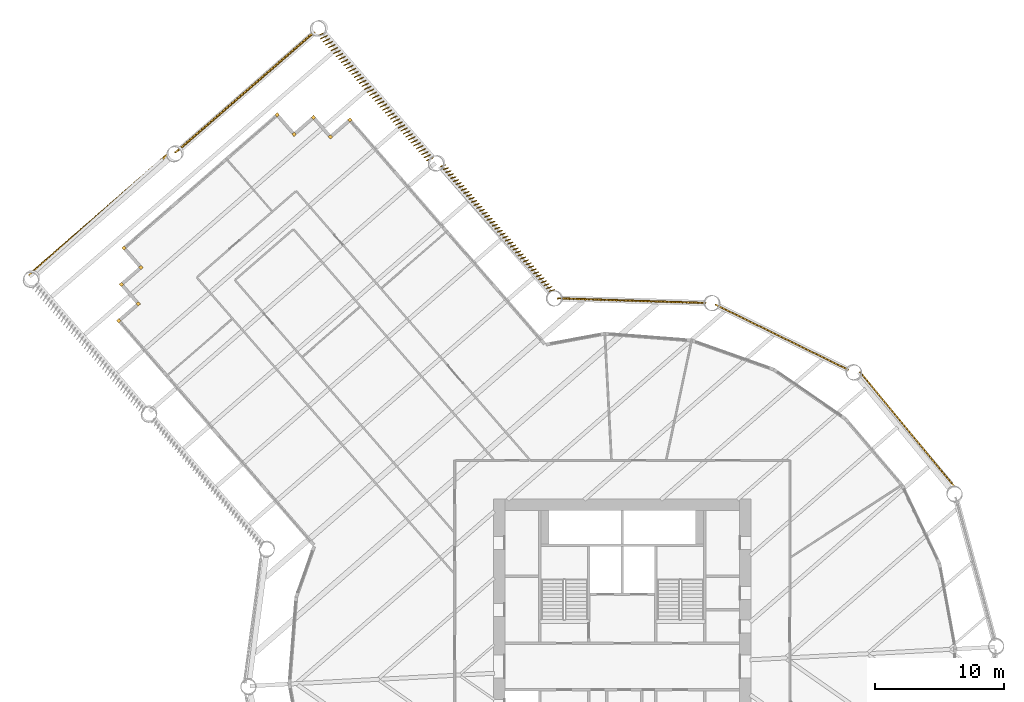
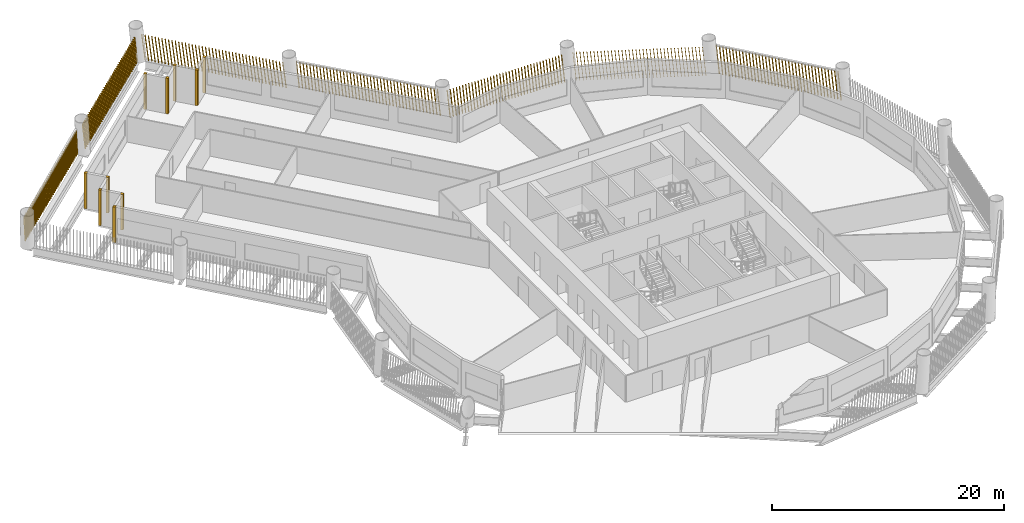
# One storey, part 14 of 15: 17 shading devices.
"""IFC4 building model written with IfcOpenShell, lengths in metres."""

from ifc_helpers import new_model, si_unit, direction, frame, frame_2d, origin, origin_2d, place, context, subcontext, project, spatial, rectangle, composite_profile, extrude, material, type_object, element, save


model = new_model("IFC4")

# Units and contexts
model_context = context("Model", 3, precision=1e-05, world=origin(), true_north=direction((0.0, 1.0)))
body_context = subcontext(model_context, "Body", "Model", "MODEL_VIEW")
ifc_project = project(units=[si_unit("LENGTHUNIT", "METRE"), si_unit("AREAUNIT", "SQUARE_METRE"), si_unit("VOLUMEUNIT", "CUBIC_METRE"), si_unit("PLANEANGLEUNIT", "RADIAN"), si_unit("MASSUNIT", "GRAM", prefix="KILO")], contexts=[model_context])

# Site, building, storey
site_placement = place(None, origin())
site = spatial("IfcSite", under=ifc_project, at=site_placement, CompositionType="ELEMENT")
building_placement = place(site_placement, origin())
building = spatial("IfcBuilding", under=site, at=building_placement, Name="Tarsis Ring Headquarters", CompositionType="ELEMENT")
storey_placement = place(building_placement, frame((0.0, 0.0, 51.699951171875)))
storey = spatial("IfcBuildingStorey", under=building, at=storey_placement, Name="L10", CompositionType="ELEMENT", Elevation=51.699951171875)

# Shading devices
ifc_material = material(Name="Terracotta baguette", Category="masonry")
shading_device_type_1 = type_object("IfcShadingDeviceType", Name="Terracotta baguette screen", PredefinedType="USERDEFINED", material=ifc_material)
shading_device_1_placement = place(storey_placement, frame((25.7744140625, 13.966552734375, 0.0), z_axis=(0.0, 0.0, 1.0), x_axis=(-0.63626695605, 0.771481280521, 0.0)))
element("IfcShadingDevice", 1, at=shading_device_1_placement, inside=storey, type_object=shading_device_type_1, Name="Baguette screen L10-12", ObjectType="Terracotta baguette screen", PredefinedType="USERDEFINED", context=body_context, shape_type="SweptSolid", body=[
    extrude(composite_profile([rectangle(XDim=0.06005859375, YDim=0.1201171875, at=frame_2d((0.030029296875, 0.0))), rectangle(XDim=0.06005859375, YDim=0.1201171875, at=frame_2d((0.33251953125, 0.0))), rectangle(XDim=0.06005859375, YDim=0.1201171875, at=frame_2d((0.634765625, 0.0))), rectangle(XDim=0.06005859375, YDim=0.1201171875, at=frame_2d((0.937255859375, 0.0))), rectangle(XDim=0.06005859375, YDim=0.1201171875, at=frame_2d((1.239501953125, 0.0))), rectangle(XDim=0.06005859375, YDim=0.1201171875, at=frame_2d((1.5419921875, 0.0))), rectangle(XDim=0.06005859375, YDim=0.1201171875, at=frame_2d((1.844482421875, 0.0))), rectangle(XDim=0.06005859375, YDim=0.1201171875, at=frame_2d((2.146728515625, 0.0))), rectangle(XDim=0.06005859375, YDim=0.1201171875, at=frame_2d((2.44921875, 0.0))), rectangle(XDim=0.06005859375, YDim=0.1201171875, at=frame_2d((2.751708984375, 0.0))), rectangle(XDim=0.06005859375, YDim=0.1201171875, at=frame_2d((3.053955078125, 0.0))), rectangle(XDim=0.06005859375, YDim=0.1201171875, at=frame_2d((3.3564453125, 0.0))), rectangle(XDim=0.06005859375, YDim=0.1201171875, at=frame_2d((3.65869140625, 0.0))), rectangle(XDim=0.06005859375, YDim=0.1201171875, at=frame_2d((3.961181640625, 0.0))), rectangle(XDim=0.06005859375, YDim=0.1201171875, at=frame_2d((4.263671875, 0.0))), rectangle(XDim=0.06005859375, YDim=0.1201171875, at=frame_2d((4.56591796875, 0.0))), rectangle(XDim=0.06005859375, YDim=0.1201171875, at=frame_2d((4.868408203125, 0.0))), rectangle(XDim=0.06005859375, YDim=0.1201171875, at=frame_2d((5.1708984375, 0.0))), rectangle(XDim=0.06005859375, YDim=0.1201171875, at=frame_2d((5.47314453125, 0.0))), rectangle(XDim=0.06005859375, YDim=0.1201171875, at=frame_2d((5.775634765625, 0.0))), rectangle(XDim=0.06005859375, YDim=0.1201171875, at=frame_2d((6.077880859375, 0.0))), rectangle(XDim=0.06005859375, YDim=0.1201171875, at=frame_2d((6.38037109375, 0.0))), rectangle(XDim=0.06005859375, YDim=0.1201171875, at=frame_2d((6.682861328125, 0.0))), rectangle(XDim=0.06005859375, YDim=0.1201171875, at=frame_2d((6.985107421875, 0.0))), rectangle(XDim=0.06005859375, YDim=0.1201171875, at=frame_2d((7.28759765625, 0.0))), rectangle(XDim=0.06005859375, YDim=0.1201171875, at=frame_2d((7.590087890625, 0.0))), rectangle(XDim=0.06005859375, YDim=0.1201171875, at=frame_2d((7.892333984375, 0.0))), rectangle(XDim=0.06005859375, YDim=0.1201171875, at=frame_2d((8.19482421875, 0.0))), rectangle(XDim=0.06005859375, YDim=0.1201171875, at=frame_2d((8.4970703125, 0.0))), rectangle(XDim=0.06005859375, YDim=0.1201171875, at=frame_2d((8.799560546875, 0.0))), rectangle(XDim=0.06005859375, YDim=0.1201171875, at=frame_2d((9.10205078125, 0.0))), rectangle(XDim=0.06005859375, YDim=0.1201171875, at=frame_2d((9.404296875, 0.0))), rectangle(XDim=0.06005859375, YDim=0.1201171875, at=frame_2d((9.706787109375, 0.0))), rectangle(XDim=0.06005859375, YDim=0.1201171875, at=frame_2d((10.00927734375, 0.0))), rectangle(XDim=0.06005859375, YDim=0.1201171875, at=frame_2d((10.3115234375, 0.0))), rectangle(XDim=0.06005859375, YDim=0.1201171875, at=frame_2d((10.614013671875, 0.0))), rectangle(XDim=0.06005859375, YDim=0.1201171875, at=frame_2d((10.916259765625, 0.0))), rectangle(XDim=0.06005859375, YDim=0.1201171875, at=frame_2d((11.21875, 0.0)))]), origin(), (0.101511033073, 0.000532017042, 0.994834271184), 2.968017578125),
])
shading_device_2_placement = place(storey_placement, frame((17.560791015625, 23.01220703125, 0.0), z_axis=(0.0, 0.0, 1.0), x_axis=(-0.897688551275, 0.440629408573, 0.0)))
element("IfcShadingDevice", 2, at=shading_device_2_placement, inside=storey, type_object=shading_device_type_1, Name="Baguette screen L10-13", ObjectType="Terracotta baguette screen", PredefinedType="USERDEFINED", context=body_context, shape_type="SweptSolid", body=[
    extrude(composite_profile([rectangle(XDim=0.06005859375, YDim=0.1201171875, at=frame_2d((0.030029296875, 0.0))), rectangle(XDim=0.06005859375, YDim=0.1201171875, at=frame_2d((0.33251953125, 0.0))), rectangle(XDim=0.06005859375, YDim=0.1201171875, at=frame_2d((0.634765625, 0.0))), rectangle(XDim=0.06005859375, YDim=0.1201171875, at=frame_2d((0.937255859375, 0.0))), rectangle(XDim=0.06005859375, YDim=0.1201171875, at=frame_2d((1.239501953125, 0.0))), rectangle(XDim=0.06005859375, YDim=0.1201171875, at=frame_2d((1.5419921875, 0.0))), rectangle(XDim=0.06005859375, YDim=0.1201171875, at=frame_2d((1.844482421875, 0.0))), rectangle(XDim=0.06005859375, YDim=0.1201171875, at=frame_2d((2.146728515625, 0.0))), rectangle(XDim=0.06005859375, YDim=0.1201171875, at=frame_2d((2.44921875, 0.0))), rectangle(XDim=0.06005859375, YDim=0.1201171875, at=frame_2d((2.751708984375, 0.0))), rectangle(XDim=0.06005859375, YDim=0.1201171875, at=frame_2d((3.053955078125, 0.0))), rectangle(XDim=0.06005859375, YDim=0.1201171875, at=frame_2d((3.3564453125, 0.0))), rectangle(XDim=0.06005859375, YDim=0.1201171875, at=frame_2d((3.65869140625, 0.0))), rectangle(XDim=0.06005859375, YDim=0.1201171875, at=frame_2d((3.961181640625, 0.0))), rectangle(XDim=0.06005859375, YDim=0.1201171875, at=frame_2d((4.263671875, 0.0))), rectangle(XDim=0.06005859375, YDim=0.1201171875, at=frame_2d((4.56591796875, 0.0))), rectangle(XDim=0.06005859375, YDim=0.1201171875, at=frame_2d((4.868408203125, 0.0))), rectangle(XDim=0.06005859375, YDim=0.1201171875, at=frame_2d((5.1708984375, 0.0))), rectangle(XDim=0.06005859375, YDim=0.1201171875, at=frame_2d((5.47314453125, 0.0))), rectangle(XDim=0.06005859375, YDim=0.1201171875, at=frame_2d((5.775634765625, 0.0))), rectangle(XDim=0.06005859375, YDim=0.1201171875, at=frame_2d((6.077880859375, 0.0))), rectangle(XDim=0.06005859375, YDim=0.1201171875, at=frame_2d((6.38037109375, 0.0))), rectangle(XDim=0.06005859375, YDim=0.1201171875, at=frame_2d((6.682861328125, 0.0))), rectangle(XDim=0.06005859375, YDim=0.1201171875, at=frame_2d((6.985107421875, 0.0))), rectangle(XDim=0.06005859375, YDim=0.1201171875, at=frame_2d((7.28759765625, 0.0))), rectangle(XDim=0.06005859375, YDim=0.1201171875, at=frame_2d((7.590087890625, 0.0))), rectangle(XDim=0.06005859375, YDim=0.1201171875, at=frame_2d((7.892333984375, 0.0))), rectangle(XDim=0.06005859375, YDim=0.1201171875, at=frame_2d((8.19482421875, 0.0))), rectangle(XDim=0.06005859375, YDim=0.1201171875, at=frame_2d((8.4970703125, 0.0))), rectangle(XDim=0.06005859375, YDim=0.1201171875, at=frame_2d((8.799560546875, 0.0))), rectangle(XDim=0.06005859375, YDim=0.1201171875, at=frame_2d((9.10205078125, 0.0))), rectangle(XDim=0.06005859375, YDim=0.1201171875, at=frame_2d((9.404296875, 0.0))), rectangle(XDim=0.06005859375, YDim=0.1201171875, at=frame_2d((9.706787109375, 0.0))), rectangle(XDim=0.06005859375, YDim=0.1201171875, at=frame_2d((10.00927734375, 0.0))), rectangle(XDim=0.06005859375, YDim=0.1201171875, at=frame_2d((10.3115234375, 0.0))), rectangle(XDim=0.06005859375, YDim=0.1201171875, at=frame_2d((10.614013671875, 0.0))), rectangle(XDim=0.06005859375, YDim=0.1201171875, at=frame_2d((10.916259765625, 0.0))), rectangle(XDim=0.06005859375, YDim=0.1201171875, at=frame_2d((11.21875, 0.0)))]), origin(), (0.10020027107, 0.000525141998, 0.994967150163), 2.967529296875),
])
shading_device_3_placement = place(storey_placement, frame((6.51416015625, 28.204833984375, 0.0), z_axis=(0.0, 0.0, 1.0), x_axis=(-0.99950081389, 0.031427021161, 0.0)))
element("IfcShadingDevice", 3, at=shading_device_3_placement, inside=storey, type_object=shading_device_type_1, Name="Baguette screen L10-14", ObjectType="Terracotta baguette screen", PredefinedType="USERDEFINED", context=body_context, shape_type="SweptSolid", body=[
    extrude(composite_profile([rectangle(XDim=0.06005859375, YDim=0.1201171875, at=frame_2d((0.030029296875, 0.0))), rectangle(XDim=0.06005859375, YDim=0.1201171875, at=frame_2d((0.33251953125, 0.0))), rectangle(XDim=0.06005859375, YDim=0.1201171875, at=frame_2d((0.634765625, 0.0))), rectangle(XDim=0.06005859375, YDim=0.1201171875, at=frame_2d((0.937255859375, 0.0))), rectangle(XDim=0.06005859375, YDim=0.1201171875, at=frame_2d((1.239501953125, 0.0))), rectangle(XDim=0.06005859375, YDim=0.1201171875, at=frame_2d((1.5419921875, 0.0))), rectangle(XDim=0.06005859375, YDim=0.1201171875, at=frame_2d((1.844482421875, 0.0))), rectangle(XDim=0.06005859375, YDim=0.1201171875, at=frame_2d((2.146728515625, 0.0))), rectangle(XDim=0.06005859375, YDim=0.1201171875, at=frame_2d((2.44921875, 0.0))), rectangle(XDim=0.06005859375, YDim=0.1201171875, at=frame_2d((2.751708984375, 0.0))), rectangle(XDim=0.06005859375, YDim=0.1201171875, at=frame_2d((3.053955078125, 0.0))), rectangle(XDim=0.06005859375, YDim=0.1201171875, at=frame_2d((3.3564453125, 0.0))), rectangle(XDim=0.06005859375, YDim=0.1201171875, at=frame_2d((3.65869140625, 0.0))), rectangle(XDim=0.06005859375, YDim=0.1201171875, at=frame_2d((3.961181640625, 0.0))), rectangle(XDim=0.06005859375, YDim=0.1201171875, at=frame_2d((4.263671875, 0.0))), rectangle(XDim=0.06005859375, YDim=0.1201171875, at=frame_2d((4.56591796875, 0.0))), rectangle(XDim=0.06005859375, YDim=0.1201171875, at=frame_2d((4.868408203125, 0.0))), rectangle(XDim=0.06005859375, YDim=0.1201171875, at=frame_2d((5.1708984375, 0.0))), rectangle(XDim=0.06005859375, YDim=0.1201171875, at=frame_2d((5.47314453125, 0.0))), rectangle(XDim=0.06005859375, YDim=0.1201171875, at=frame_2d((5.775634765625, 0.0))), rectangle(XDim=0.06005859375, YDim=0.1201171875, at=frame_2d((6.077880859375, 0.0))), rectangle(XDim=0.06005859375, YDim=0.1201171875, at=frame_2d((6.38037109375, 0.0))), rectangle(XDim=0.06005859375, YDim=0.1201171875, at=frame_2d((6.682861328125, 0.0))), rectangle(XDim=0.06005859375, YDim=0.1201171875, at=frame_2d((6.985107421875, 0.0))), rectangle(XDim=0.06005859375, YDim=0.1201171875, at=frame_2d((7.28759765625, 0.0))), rectangle(XDim=0.06005859375, YDim=0.1201171875, at=frame_2d((7.590087890625, 0.0))), rectangle(XDim=0.06005859375, YDim=0.1201171875, at=frame_2d((7.892333984375, 0.0))), rectangle(XDim=0.06005859375, YDim=0.1201171875, at=frame_2d((8.19482421875, 0.0))), rectangle(XDim=0.06005859375, YDim=0.1201171875, at=frame_2d((8.4970703125, 0.0))), rectangle(XDim=0.06005859375, YDim=0.1201171875, at=frame_2d((8.799560546875, 0.0))), rectangle(XDim=0.06005859375, YDim=0.1201171875, at=frame_2d((9.10205078125, 0.0))), rectangle(XDim=0.06005859375, YDim=0.1201171875, at=frame_2d((9.404296875, 0.0))), rectangle(XDim=0.06005859375, YDim=0.1201171875, at=frame_2d((9.706787109375, 0.0))), rectangle(XDim=0.06005859375, YDim=0.1201171875, at=frame_2d((10.00927734375, 0.0))), rectangle(XDim=0.06005859375, YDim=0.1201171875, at=frame_2d((10.3115234375, 0.0))), rectangle(XDim=0.06005859375, YDim=0.1201171875, at=frame_2d((10.614013671875, 0.0))), rectangle(XDim=0.06005859375, YDim=0.1201171875, at=frame_2d((10.916259765625, 0.0))), rectangle(XDim=0.06005859375, YDim=0.1201171875, at=frame_2d((11.21875, 0.0)))]), origin(), (0.100200250182, 0.000523905841, 0.994967152918), 2.967529296875),
])
shading_device_4_placement = place(storey_placement, frame((-5.27392578125, 29.197509765625, 0.0), z_axis=(0.0, 0.0, 1.0), x_axis=(-0.656063731148, 0.754706984313, 0.0)))
element("IfcShadingDevice", 4, at=shading_device_4_placement, inside=storey, type_object=shading_device_type_1, Name="Baguette screen L10-15", ObjectType="Terracotta baguette screen", PredefinedType="USERDEFINED", context=body_context, shape_type="SweptSolid", body=[
    extrude(composite_profile([rectangle(XDim=0.06005859375, YDim=0.1201171875, at=frame_2d((0.030029296875, 0.0))), rectangle(XDim=0.06005859375, YDim=0.1201171875, at=frame_2d((0.335693359375, 0.0))), rectangle(XDim=0.06005859375, YDim=0.1201171875, at=frame_2d((0.6416015625, 0.0))), rectangle(XDim=0.06005859375, YDim=0.1201171875, at=frame_2d((0.947265625, 0.0))), rectangle(XDim=0.06005859375, YDim=0.1201171875, at=frame_2d((1.253173828125, 0.0))), rectangle(XDim=0.06005859375, YDim=0.1201171875, at=frame_2d((1.558837890625, 0.0))), rectangle(XDim=0.06005859375, YDim=0.1201171875, at=frame_2d((1.864501953125, 0.0))), rectangle(XDim=0.06005859375, YDim=0.1201171875, at=frame_2d((2.17041015625, 0.0))), rectangle(XDim=0.06005859375, YDim=0.1201171875, at=frame_2d((2.47607421875, 0.0))), rectangle(XDim=0.06005859375, YDim=0.1201171875, at=frame_2d((2.781982421875, 0.0))), rectangle(XDim=0.06005859375, YDim=0.1201171875, at=frame_2d((3.087646484375, 0.0))), rectangle(XDim=0.06005859375, YDim=0.1201171875, at=frame_2d((3.393310546875, 0.0))), rectangle(XDim=0.06005859375, YDim=0.1201171875, at=frame_2d((3.69921875, 0.0))), rectangle(XDim=0.06005859375, YDim=0.1201171875, at=frame_2d((4.0048828125, 0.0))), rectangle(XDim=0.06005859375, YDim=0.1201171875, at=frame_2d((4.310791015625, 0.0))), rectangle(XDim=0.06005859375, YDim=0.1201171875, at=frame_2d((4.616455078125, 0.0))), rectangle(XDim=0.06005859375, YDim=0.1201171875, at=frame_2d((4.922119140625, 0.0))), rectangle(XDim=0.06005859375, YDim=0.1201171875, at=frame_2d((5.22802734375, 0.0))), rectangle(XDim=0.06005859375, YDim=0.1201171875, at=frame_2d((5.53369140625, 0.0))), rectangle(XDim=0.06005859375, YDim=0.1201171875, at=frame_2d((5.839599609375, 0.0))), rectangle(XDim=0.06005859375, YDim=0.1201171875, at=frame_2d((6.145263671875, 0.0))), rectangle(XDim=0.06005859375, YDim=0.1201171875, at=frame_2d((6.451171875, 0.0))), rectangle(XDim=0.06005859375, YDim=0.1201171875, at=frame_2d((6.7568359375, 0.0))), rectangle(XDim=0.06005859375, YDim=0.1201171875, at=frame_2d((7.0625, 0.0))), rectangle(XDim=0.06005859375, YDim=0.1201171875, at=frame_2d((7.368408203125, 0.0))), rectangle(XDim=0.06005859375, YDim=0.1201171875, at=frame_2d((7.674072265625, 0.0))), rectangle(XDim=0.06005859375, YDim=0.1201171875, at=frame_2d((7.97998046875, 0.0))), rectangle(XDim=0.06005859375, YDim=0.1201171875, at=frame_2d((8.28564453125, 0.0))), rectangle(XDim=0.06005859375, YDim=0.1201171875, at=frame_2d((8.59130859375, 0.0))), rectangle(XDim=0.06005859375, YDim=0.1201171875, at=frame_2d((8.897216796875, 0.0))), rectangle(XDim=0.06005859375, YDim=0.1201171875, at=frame_2d((9.202880859375, 0.0))), rectangle(XDim=0.06005859375, YDim=0.1201171875, at=frame_2d((9.5087890625, 0.0))), rectangle(XDim=0.06005859375, YDim=0.1201171875, at=frame_2d((9.814453125, 0.0))), rectangle(XDim=0.06005859375, YDim=0.1201171875, at=frame_2d((10.1201171875, 0.0))), rectangle(XDim=0.06005859375, YDim=0.1201171875, at=frame_2d((10.426025390625, 0.0))), rectangle(XDim=0.06005859375, YDim=0.1201171875, at=frame_2d((10.731689453125, 0.0))), rectangle(XDim=0.06005859375, YDim=0.1201171875, at=frame_2d((11.03759765625, 0.0))), rectangle(XDim=0.06005859375, YDim=0.1201171875, at=frame_2d((11.34326171875, 0.0))), rectangle(XDim=0.06005859375, YDim=0.1201171875, at=frame_2d((11.64892578125, 0.0))), rectangle(XDim=0.06005859375, YDim=0.1201171875, at=frame_2d((11.954833984375, 0.0))), rectangle(XDim=0.06005859375, YDim=0.1201171875, at=frame_2d((12.260498046875, 0.0))), rectangle(XDim=0.06005859375, YDim=0.1201171875, at=frame_2d((12.56640625, 0.0))), rectangle(XDim=0.06005859375, YDim=0.1201171875, at=frame_2d((12.8720703125, 0.0)))]), origin(), (0.052813109187, 0.112699970093, 0.992224517052), 2.975830078125),
])
shading_device_5_placement = place(storey_placement, frame((-14.677490234375, 39.443603515625, 0.0), z_axis=(0.0, 0.0, 1.0), x_axis=(-0.656063731148, 0.754706984313, 0.0)))
element("IfcShadingDevice", 5, at=shading_device_5_placement, inside=storey, type_object=shading_device_type_1, Name="Baguette screen L10-16", ObjectType="Terracotta baguette screen", PredefinedType="USERDEFINED", context=body_context, shape_type="SweptSolid", body=[
    extrude(composite_profile([rectangle(XDim=0.06005859375, YDim=0.1201171875, at=frame_2d((0.030029296875, 0.0))), rectangle(XDim=0.06005859375, YDim=0.1201171875, at=frame_2d((0.335693359375, 0.0))), rectangle(XDim=0.06005859375, YDim=0.1201171875, at=frame_2d((0.6416015625, 0.0))), rectangle(XDim=0.06005859375, YDim=0.1201171875, at=frame_2d((0.947265625, 0.0))), rectangle(XDim=0.06005859375, YDim=0.1201171875, at=frame_2d((1.253173828125, 0.0))), rectangle(XDim=0.06005859375, YDim=0.1201171875, at=frame_2d((1.558837890625, 0.0))), rectangle(XDim=0.06005859375, YDim=0.1201171875, at=frame_2d((1.864501953125, 0.0))), rectangle(XDim=0.06005859375, YDim=0.1201171875, at=frame_2d((2.17041015625, 0.0))), rectangle(XDim=0.06005859375, YDim=0.1201171875, at=frame_2d((2.47607421875, 0.0))), rectangle(XDim=0.06005859375, YDim=0.1201171875, at=frame_2d((2.781982421875, 0.0))), rectangle(XDim=0.06005859375, YDim=0.1201171875, at=frame_2d((3.087646484375, 0.0))), rectangle(XDim=0.06005859375, YDim=0.1201171875, at=frame_2d((3.393310546875, 0.0))), rectangle(XDim=0.06005859375, YDim=0.1201171875, at=frame_2d((3.69921875, 0.0))), rectangle(XDim=0.06005859375, YDim=0.1201171875, at=frame_2d((4.0048828125, 0.0))), rectangle(XDim=0.06005859375, YDim=0.1201171875, at=frame_2d((4.310791015625, 0.0))), rectangle(XDim=0.06005859375, YDim=0.1201171875, at=frame_2d((4.616455078125, 0.0))), rectangle(XDim=0.06005859375, YDim=0.1201171875, at=frame_2d((4.922119140625, 0.0))), rectangle(XDim=0.06005859375, YDim=0.1201171875, at=frame_2d((5.22802734375, 0.0))), rectangle(XDim=0.06005859375, YDim=0.1201171875, at=frame_2d((5.53369140625, 0.0))), rectangle(XDim=0.06005859375, YDim=0.1201171875, at=frame_2d((5.839599609375, 0.0))), rectangle(XDim=0.06005859375, YDim=0.1201171875, at=frame_2d((6.145263671875, 0.0))), rectangle(XDim=0.06005859375, YDim=0.1201171875, at=frame_2d((6.451171875, 0.0))), rectangle(XDim=0.06005859375, YDim=0.1201171875, at=frame_2d((6.7568359375, 0.0))), rectangle(XDim=0.06005859375, YDim=0.1201171875, at=frame_2d((7.0625, 0.0))), rectangle(XDim=0.06005859375, YDim=0.1201171875, at=frame_2d((7.368408203125, 0.0))), rectangle(XDim=0.06005859375, YDim=0.1201171875, at=frame_2d((7.674072265625, 0.0))), rectangle(XDim=0.06005859375, YDim=0.1201171875, at=frame_2d((7.97998046875, 0.0))), rectangle(XDim=0.06005859375, YDim=0.1201171875, at=frame_2d((8.28564453125, 0.0))), rectangle(XDim=0.06005859375, YDim=0.1201171875, at=frame_2d((8.59130859375, 0.0))), rectangle(XDim=0.06005859375, YDim=0.1201171875, at=frame_2d((8.897216796875, 0.0))), rectangle(XDim=0.06005859375, YDim=0.1201171875, at=frame_2d((9.202880859375, 0.0))), rectangle(XDim=0.06005859375, YDim=0.1201171875, at=frame_2d((9.5087890625, 0.0))), rectangle(XDim=0.06005859375, YDim=0.1201171875, at=frame_2d((9.814453125, 0.0))), rectangle(XDim=0.06005859375, YDim=0.1201171875, at=frame_2d((10.1201171875, 0.0))), rectangle(XDim=0.06005859375, YDim=0.1201171875, at=frame_2d((10.426025390625, 0.0))), rectangle(XDim=0.06005859375, YDim=0.1201171875, at=frame_2d((10.731689453125, 0.0))), rectangle(XDim=0.06005859375, YDim=0.1201171875, at=frame_2d((11.03759765625, 0.0))), rectangle(XDim=0.06005859375, YDim=0.1201171875, at=frame_2d((11.34326171875, 0.0))), rectangle(XDim=0.06005859375, YDim=0.1201171875, at=frame_2d((11.64892578125, 0.0))), rectangle(XDim=0.06005859375, YDim=0.1201171875, at=frame_2d((11.954833984375, 0.0))), rectangle(XDim=0.06005859375, YDim=0.1201171875, at=frame_2d((12.260498046875, 0.0))), rectangle(XDim=0.06005859375, YDim=0.1201171875, at=frame_2d((12.56640625, 0.0))), rectangle(XDim=0.06005859375, YDim=0.1201171875, at=frame_2d((12.8720703125, 0.0)))]), origin(), (0.050901273233, 0.160554957038, 0.985713531485), 2.995361328125),
])
shading_device_6_placement = place(storey_placement, frame((-23.84765625, 49.230224609375, 0.0), z_axis=(0.0, 0.0, 1.0), x_axis=(-0.754705965608, -0.65605760385, 0.0)))
element("IfcShadingDevice", 6, at=shading_device_6_placement, inside=storey, type_object=shading_device_type_1, Name="Baguette screen L10-17", ObjectType="Terracotta baguette screen", PredefinedType="USERDEFINED", context=body_context, shape_type="SweptSolid", body=[
    extrude(composite_profile([rectangle(XDim=0.06005859375, YDim=0.1201171875, at=frame_2d((0.030029296875, 0.0))), rectangle(XDim=0.06005859375, YDim=0.1201171875, at=frame_2d((0.33544921875, 0.0))), rectangle(XDim=0.06005859375, YDim=0.1201171875, at=frame_2d((0.640625, 0.0))), rectangle(XDim=0.06005859375, YDim=0.1201171875, at=frame_2d((0.946044921875, 0.0))), rectangle(XDim=0.06005859375, YDim=0.1201171875, at=frame_2d((1.25146484375, 0.0))), rectangle(XDim=0.06005859375, YDim=0.1201171875, at=frame_2d((1.556640625, 0.0))), rectangle(XDim=0.06005859375, YDim=0.1201171875, at=frame_2d((1.862060546875, 0.0))), rectangle(XDim=0.06005859375, YDim=0.1201171875, at=frame_2d((2.16748046875, 0.0))), rectangle(XDim=0.06005859375, YDim=0.1201171875, at=frame_2d((2.47265625, 0.0))), rectangle(XDim=0.06005859375, YDim=0.1201171875, at=frame_2d((2.778076171875, 0.0))), rectangle(XDim=0.06005859375, YDim=0.1201171875, at=frame_2d((3.08349609375, 0.0))), rectangle(XDim=0.06005859375, YDim=0.1201171875, at=frame_2d((3.388671875, 0.0))), rectangle(XDim=0.06005859375, YDim=0.1201171875, at=frame_2d((3.694091796875, 0.0))), rectangle(XDim=0.06005859375, YDim=0.1201171875, at=frame_2d((3.99951171875, 0.0))), rectangle(XDim=0.06005859375, YDim=0.1201171875, at=frame_2d((4.3046875, 0.0))), rectangle(XDim=0.06005859375, YDim=0.1201171875, at=frame_2d((4.610107421875, 0.0))), rectangle(XDim=0.06005859375, YDim=0.1201171875, at=frame_2d((4.91552734375, 0.0))), rectangle(XDim=0.06005859375, YDim=0.1201171875, at=frame_2d((5.220703125, 0.0))), rectangle(XDim=0.06005859375, YDim=0.1201171875, at=frame_2d((5.526123046875, 0.0))), rectangle(XDim=0.06005859375, YDim=0.1201171875, at=frame_2d((5.83154296875, 0.0))), rectangle(XDim=0.06005859375, YDim=0.1201171875, at=frame_2d((6.13671875, 0.0))), rectangle(XDim=0.06005859375, YDim=0.1201171875, at=frame_2d((6.442138671875, 0.0))), rectangle(XDim=0.06005859375, YDim=0.1201171875, at=frame_2d((6.74755859375, 0.0))), rectangle(XDim=0.06005859375, YDim=0.1201171875, at=frame_2d((7.052734375, 0.0))), rectangle(XDim=0.06005859375, YDim=0.1201171875, at=frame_2d((7.358154296875, 0.0))), rectangle(XDim=0.06005859375, YDim=0.1201171875, at=frame_2d((7.66357421875, 0.0))), rectangle(XDim=0.06005859375, YDim=0.1201171875, at=frame_2d((7.96875, 0.0))), rectangle(XDim=0.06005859375, YDim=0.1201171875, at=frame_2d((8.274169921875, 0.0))), rectangle(XDim=0.06005859375, YDim=0.1201171875, at=frame_2d((8.57958984375, 0.0))), rectangle(XDim=0.06005859375, YDim=0.1201171875, at=frame_2d((8.884765625, 0.0))), rectangle(XDim=0.06005859375, YDim=0.1201171875, at=frame_2d((9.190185546875, 0.0))), rectangle(XDim=0.06005859375, YDim=0.1201171875, at=frame_2d((9.49560546875, 0.0))), rectangle(XDim=0.06005859375, YDim=0.1201171875, at=frame_2d((9.80078125, 0.0))), rectangle(XDim=0.06005859375, YDim=0.1201171875, at=frame_2d((10.106201171875, 0.0))), rectangle(XDim=0.06005859375, YDim=0.1201171875, at=frame_2d((10.41162109375, 0.0))), rectangle(XDim=0.06005859375, YDim=0.1201171875, at=frame_2d((10.716796875, 0.0))), rectangle(XDim=0.06005859375, YDim=0.1201171875, at=frame_2d((11.022216796875, 0.0))), rectangle(XDim=0.06005859375, YDim=0.1201171875, at=frame_2d((11.32763671875, 0.0))), rectangle(XDim=0.06005859375, YDim=0.1201171875, at=frame_2d((11.6328125, 0.0))), rectangle(XDim=0.06005859375, YDim=0.1201171875, at=frame_2d((11.938232421875, 0.0))), rectangle(XDim=0.06005859375, YDim=0.1201171875, at=frame_2d((12.24365234375, 0.0))), rectangle(XDim=0.06005859375, YDim=0.1201171875, at=frame_2d((12.548828125, 0.0))), rectangle(XDim=0.06005859375, YDim=0.1201171875, at=frame_2d((12.854248046875, 0.0))), rectangle(XDim=0.06005859375, YDim=0.1201171875, at=frame_2d((13.15966796875, 0.0))), rectangle(XDim=0.06005859375, YDim=0.1201171875, at=frame_2d((13.46484375, 0.0))), rectangle(XDim=0.06005859375, YDim=0.1201171875, at=frame_2d((13.770263671875, 0.0)))]), origin(), (0.184133779578, -0.024824507547, 0.982587652601), 3.0048828125),
])
shading_device_7_placement = place(storey_placement, frame((-35.26318359375, 39.8037109375, 0.0), z_axis=(0.0, 0.0, 1.0), x_axis=(-0.754710305175, -0.656063688633, 0.0)))
element("IfcShadingDevice", 7, at=shading_device_7_placement, inside=storey, type_object=shading_device_type_1, Name="Baguette screen L10-18", ObjectType="Terracotta baguette screen", PredefinedType="USERDEFINED", context=body_context, shape_type="SweptSolid", body=[
    extrude(composite_profile([rectangle(XDim=0.06005859375, YDim=0.1201171875, at=frame_2d((0.030029296875, 0.0))), rectangle(XDim=0.06005859375, YDim=0.1201171875, at=frame_2d((0.33544921875, 0.0))), rectangle(XDim=0.06005859375, YDim=0.1201171875, at=frame_2d((0.640625, 0.0))), rectangle(XDim=0.06005859375, YDim=0.1201171875, at=frame_2d((0.946044921875, 0.0))), rectangle(XDim=0.06005859375, YDim=0.1201171875, at=frame_2d((1.25146484375, 0.0))), rectangle(XDim=0.06005859375, YDim=0.1201171875, at=frame_2d((1.556640625, 0.0))), rectangle(XDim=0.06005859375, YDim=0.1201171875, at=frame_2d((1.862060546875, 0.0))), rectangle(XDim=0.06005859375, YDim=0.1201171875, at=frame_2d((2.16748046875, 0.0))), rectangle(XDim=0.06005859375, YDim=0.1201171875, at=frame_2d((2.47265625, 0.0))), rectangle(XDim=0.06005859375, YDim=0.1201171875, at=frame_2d((2.778076171875, 0.0))), rectangle(XDim=0.06005859375, YDim=0.1201171875, at=frame_2d((3.08349609375, 0.0))), rectangle(XDim=0.06005859375, YDim=0.1201171875, at=frame_2d((3.388671875, 0.0))), rectangle(XDim=0.06005859375, YDim=0.1201171875, at=frame_2d((3.694091796875, 0.0))), rectangle(XDim=0.06005859375, YDim=0.1201171875, at=frame_2d((3.99951171875, 0.0))), rectangle(XDim=0.06005859375, YDim=0.1201171875, at=frame_2d((4.3046875, 0.0))), rectangle(XDim=0.06005859375, YDim=0.1201171875, at=frame_2d((4.610107421875, 0.0))), rectangle(XDim=0.06005859375, YDim=0.1201171875, at=frame_2d((4.91552734375, 0.0))), rectangle(XDim=0.06005859375, YDim=0.1201171875, at=frame_2d((5.220703125, 0.0))), rectangle(XDim=0.06005859375, YDim=0.1201171875, at=frame_2d((5.526123046875, 0.0))), rectangle(XDim=0.06005859375, YDim=0.1201171875, at=frame_2d((5.83154296875, 0.0))), rectangle(XDim=0.06005859375, YDim=0.1201171875, at=frame_2d((6.13671875, 0.0))), rectangle(XDim=0.06005859375, YDim=0.1201171875, at=frame_2d((6.442138671875, 0.0))), rectangle(XDim=0.06005859375, YDim=0.1201171875, at=frame_2d((6.74755859375, 0.0))), rectangle(XDim=0.06005859375, YDim=0.1201171875, at=frame_2d((7.052734375, 0.0))), rectangle(XDim=0.06005859375, YDim=0.1201171875, at=frame_2d((7.358154296875, 0.0))), rectangle(XDim=0.06005859375, YDim=0.1201171875, at=frame_2d((7.66357421875, 0.0))), rectangle(XDim=0.06005859375, YDim=0.1201171875, at=frame_2d((7.96875, 0.0))), rectangle(XDim=0.06005859375, YDim=0.1201171875, at=frame_2d((8.274169921875, 0.0))), rectangle(XDim=0.06005859375, YDim=0.1201171875, at=frame_2d((8.57958984375, 0.0))), rectangle(XDim=0.06005859375, YDim=0.1201171875, at=frame_2d((8.884765625, 0.0))), rectangle(XDim=0.06005859375, YDim=0.1201171875, at=frame_2d((9.190185546875, 0.0))), rectangle(XDim=0.06005859375, YDim=0.1201171875, at=frame_2d((9.49560546875, 0.0))), rectangle(XDim=0.06005859375, YDim=0.1201171875, at=frame_2d((9.80078125, 0.0))), rectangle(XDim=0.06005859375, YDim=0.1201171875, at=frame_2d((10.106201171875, 0.0))), rectangle(XDim=0.06005859375, YDim=0.1201171875, at=frame_2d((10.41162109375, 0.0))), rectangle(XDim=0.06005859375, YDim=0.1201171875, at=frame_2d((10.716796875, 0.0))), rectangle(XDim=0.06005859375, YDim=0.1201171875, at=frame_2d((11.022216796875, 0.0))), rectangle(XDim=0.06005859375, YDim=0.1201171875, at=frame_2d((11.32763671875, 0.0))), rectangle(XDim=0.06005859375, YDim=0.1201171875, at=frame_2d((11.6328125, 0.0))), rectangle(XDim=0.06005859375, YDim=0.1201171875, at=frame_2d((11.938232421875, 0.0))), rectangle(XDim=0.06005859375, YDim=0.1201171875, at=frame_2d((12.24365234375, 0.0))), rectangle(XDim=0.06005859375, YDim=0.1201171875, at=frame_2d((12.548828125, 0.0))), rectangle(XDim=0.06005859375, YDim=0.1201171875, at=frame_2d((12.854248046875, 0.0))), rectangle(XDim=0.06005859375, YDim=0.1201171875, at=frame_2d((13.15966796875, 0.0))), rectangle(XDim=0.06005859375, YDim=0.1201171875, at=frame_2d((13.46484375, 0.0))), rectangle(XDim=0.06005859375, YDim=0.1201171875, at=frame_2d((13.770263671875, 0.0)))]), origin(), (0.185127219102, 0.026751082853, 0.982350391822), 3.005615234375),
])
shading_device_type_2 = type_object("IfcShadingDeviceType", Name="Terracotta corner baguette 250x250", PredefinedType="USERDEFINED", material=ifc_material)
for number, where, z_axis, x_axis, name in (
    (8, (-39.058837890625, 26.83154296875, 0.0), (0.0, 0.0, 1.0), (-0.754709316864, -0.65605933195, 0.0), "Corner baguette L10-01"),
    (9, (-21.134521484375, 42.4130859375, 0.0), (0.0, 0.0, 1.0), (-0.656059042163, 0.754709568772, 0.0), "Corner baguette L10-32"),
    (10, (-22.64404296875, 41.100830078125, 0.0), (0.0, 0.0, 1.0), (-0.754709339765, -0.656059305606, 0.0), "Corner baguette L10-33"),
    (11, (-23.9560546875, 42.6103515625, 0.0), (0.0, 0.0, 1.0), (-0.656059055335, 0.754709557322, 0.0), "Corner baguette L10-34"),
    (12, (-25.465576171875, 41.298095703125, 0.0), (0.0, 0.0, 1.0), (-0.754709774879, -0.656058805064, 0.0), "Corner baguette L10-35"),
    (13, (-26.777587890625, 42.8076171875, 0.0), (0.0, 0.0, 1.0), (-0.656059055335, 0.754709557322, 0.0), "Corner baguette L10-36"),
    (14, (-38.664306640625, 32.474609375, 0.0), (0.0, 0.0, 1.0), (-0.754709591673, -0.656059015818, 0.0), "Corner baguette L10-37"),
    (15, (-37.35205078125, 30.96533203125, 0.0), (0.0, 0.0, 1.0), (0.656058805064, -0.754709774879, 0.0), "Corner baguette L10-38"),
    (16, (-38.861572265625, 29.653076171875, 0.0), (0.0, 0.0, 1.0), (-0.754709557322, -0.656059055335, 0.0), "Corner baguette L10-39"),
    (17, (-37.549560546875, 28.143798828125, 0.0), (0.0, 0.0, 1.0), (0.656059305606, -0.754709339765, 0.0), "Corner baguette L10-40"),
):
    element("IfcShadingDevice", number, at=place(storey_placement, frame(where, z_axis=z_axis, x_axis=x_axis)), inside=storey, type_object=shading_device_type_2, Name=name, ObjectType="Terracotta corner baguette", PredefinedType="USERDEFINED", context=body_context, shape_type="SweptSolid", body=[
        extrude(rectangle(XDim=0.25, YDim=0.25, at=origin_2d()), origin(), (0.0, 0.0, 1.0), 3.739990234375),
    ])

save(model, "model.ifc")
